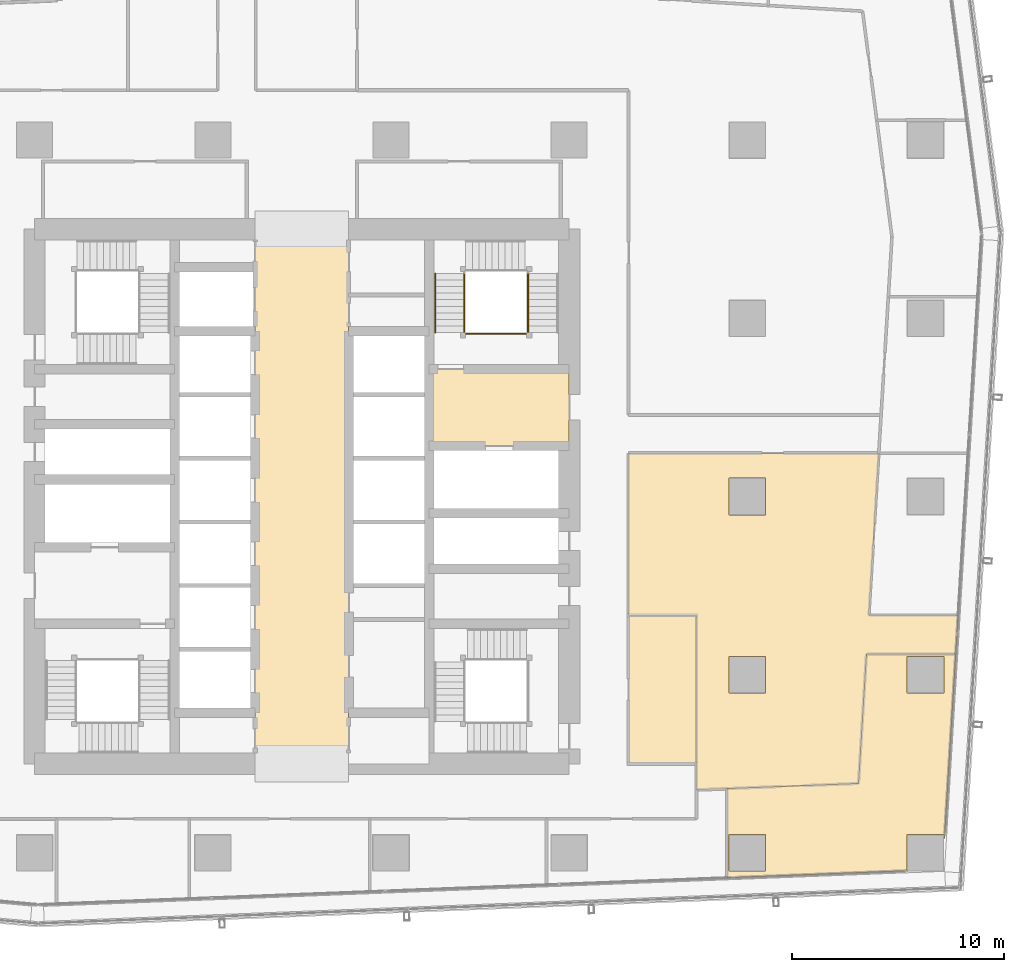
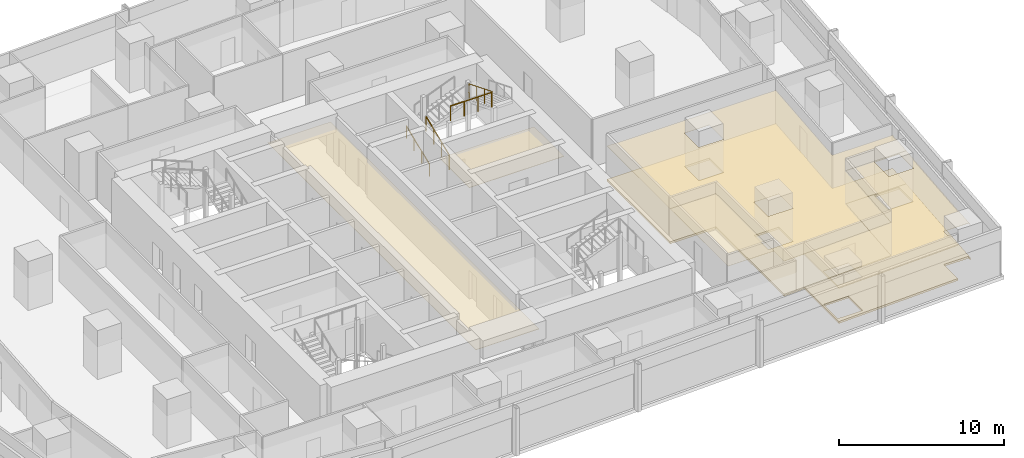
# One storey, part 38 of 40: 7 coverings, 4 railings.
"""IFC4 building model written with IfcOpenShell, lengths in metres."""

from ifc_helpers import new_model, si_unit, direction, frame, origin, origin_2d, place, context, subcontext, project, spatial, polyline, circle, outline, extrude, material, layer, layer_set, type_object, element, save


model = new_model("IFC4")

# Units and contexts
model_context = context("Model", 3, precision=1e-05, world=origin(), true_north=direction((0.0, 1.0)))
body_context = subcontext(model_context, "Body", "Model", "MODEL_VIEW")
ifc_project = project(units=[si_unit("LENGTHUNIT", "METRE"), si_unit("AREAUNIT", "SQUARE_METRE"), si_unit("VOLUMEUNIT", "CUBIC_METRE"), si_unit("PLANEANGLEUNIT", "RADIAN"), si_unit("MASSUNIT", "GRAM", prefix="KILO")], contexts=[model_context])

# Site, building, storey
site_placement = place(None, origin())
site = spatial("IfcSite", under=ifc_project, at=site_placement, CompositionType="ELEMENT")
building_placement = place(site_placement, origin())
building = spatial("IfcBuilding", under=site, at=building_placement, Name="Rekha Terrace Tower", CompositionType="ELEMENT")
storey_placement = place(building_placement, frame((0.0, 0.0, 121.550048828125)))
storey = spatial("IfcBuildingStorey", under=building, at=storey_placement, Name="L30", CompositionType="ELEMENT", Elevation=121.550048828125)

# Coverings
ifc_material_1 = material(Name="Mineral fibre tile in exposed grid", Category="finish")
ifc_layer_1 = layer(ifc_material_1, 0.02001953125)
ifc_layer_set_1 = layer_set([ifc_layer_1], Name="Mineral fibre tile in exposed grid")
covering_type_1 = type_object("IfcCoveringType", Name="CL1 600x1200 office grid ceiling", PredefinedType="CEILING", material=ifc_layer_set_1)
covering_1_placement = place(storey_placement, frame((0.0, 0.0, 2.579833984375)))
element("IfcCovering", 1, at=covering_1_placement, inside=storey, type_object=covering_type_1, Name="Ceiling L30-O1b", PredefinedType="CEILING", context=body_context, shape_type="SweptSolid", body=[
    extrude(outline(polyline([(64.9951171875, 35.636962890625), (53.199951171875, 35.636962890625), (53.199951171875, 28.0009765625), (56.39990234375, 28.0009765625), (56.39990234375, 19.77392578125), (57.85205078125, 19.8310546875), (64.041015625, 20.071044921875), (64.4150390625, 26.166015625), (68.623046875, 26.166015625), (68.735107421875, 28.0), (64.527099609375, 28.0), (64.9951171875, 35.636962890625)]), holes=[polyline([(59.6650390625, 26.06494140625), (59.6650390625, 24.3349609375), (57.93505859375, 24.3349609375), (57.93505859375, 26.06494140625), (59.6650390625, 26.06494140625)]), polyline([(59.6650390625, 32.735107421875), (57.93505859375, 32.735107421875), (57.93505859375, 34.465087890625), (59.6650390625, 34.465087890625), (59.6650390625, 32.735107421875)])]), origin(), (0.0, 0.0, 1.0), 0.02001953125),
])
covering_2_placement = place(storey_placement, frame((0.0, 0.0, 2.579833984375)))
element("IfcCovering", 2, at=covering_2_placement, inside=storey, type_object=covering_type_1, Name="Ceiling L30-18", PredefinedType="CEILING", context=body_context, shape_type="SweptSolid", body=[
    extrude(outline(polyline([(68.090087890625, 17.47998046875), (68.623046875, 26.166015625), (64.4150390625, 26.166015625), (64.041015625, 20.071044921875), (57.8369140625, 19.830078125), (57.8369140625, 15.6259765625), (66.3349609375, 15.95703125), (66.3349609375, 17.6650390625), (68.06494140625, 17.6650390625), (68.06494140625, 17.48095703125), (68.090087890625, 17.47998046875)]), holes=[polyline([(68.06494140625, 24.3349609375), (66.3349609375, 24.3349609375), (66.3349609375, 26.06494140625), (68.06494140625, 26.06494140625), (68.06494140625, 24.3349609375)]), polyline([(59.6650390625, 15.93505859375), (57.93505859375, 15.93505859375), (57.93505859375, 17.6650390625), (59.6650390625, 17.6650390625), (59.6650390625, 15.93505859375)])]), origin(), (0.0, 0.0, 1.0), 0.02001953125),
])
ifc_material_2 = material(Name="Fibre cement board", Category="finish")
ifc_layer_2 = layer(ifc_material_2, 0.014892578125)
ifc_layer_set_2 = layer_set([ifc_layer_2], Name="Fibre cement board")
covering_type_2 = type_object("IfcCoveringType", Name="CL2 moisture-resistant board ceiling", PredefinedType="CEILING", material=ifc_layer_set_2)
covering_3_placement = place(storey_placement, frame((0.0, 0.0, 2.5849609375)))
element("IfcCovering", 3, at=covering_3_placement, inside=storey, type_object=covering_type_2, Name="Ceiling L30-WCM2", PredefinedType="CEILING", context=body_context, shape_type="SweptSolid", body=[
    extrude(outline(polyline([(56.39990234375, 28.0), (53.199951171875, 28.0), (53.199951171875, 21.0), (56.39990234375, 21.0), (56.39990234375, 28.0)])), origin(), (0.0, 0.0, 1.0), 0.014892578125),
])
ifc_material_3 = material(Name="Powder-coated aluminium pan", Category="aluminium")
ifc_layer_3 = layer(ifc_material_3, 0.030029296875)
ifc_layer_set_3 = layer_set([ifc_layer_3], Name="Powder-coated aluminium pan")
covering_type_3 = type_object("IfcCoveringType", Name="CL3 300x1200 metal pan ceiling", PredefinedType="CEILING", material=ifc_layer_set_3)
covering_4_placement = place(storey_placement, frame((0.0, 0.0, 2.570068359375)))
element("IfcCovering", 4, at=covering_4_placement, inside=storey, type_object=covering_type_3, Name="Ceiling L30-LOBBY", PredefinedType="CEILING", context=body_context, shape_type="SweptSolid", body=[
    extrude(outline(polyline([(40.0, 46.199951171875), (35.60009765625, 46.199951171875), (35.60009765625, 21.0), (40.0, 21.0), (40.0, 46.199951171875)])), origin(), (0.0, 0.0, 1.0), 0.02978515625),
])
covering_5_placement = place(storey_placement, frame((0.0, 0.0, 2.570068359375)))
element("IfcCovering", 5, at=covering_5_placement, inside=storey, type_object=covering_type_3, Name="Ceiling L30-FLB2", PredefinedType="CEILING", context=body_context, shape_type="SweptSolid", body=[
    extrude(outline(polyline([(50.39990234375, 39.60009765625), (43.800048828125, 39.60009765625), (43.800048828125, 36.0), (50.39990234375, 36.0), (50.39990234375, 39.60009765625)])), origin(), (0.0, 0.0, 1.0), 0.02978515625),
])

# Railings
ifc_material_4 = material(Name="Stainless steel balustrade", Category="steel")
railing_type_1 = type_object("IfcRailingType", Name="GR1 1100 stair guard", PredefinedType="GUARDRAIL", material=ifc_material_4)
railing_1_placement = place(storey_placement, frame((45.465087890625, 41.324951171875, 0.125)))
element("IfcRailing", 6, at=railing_1_placement, inside=storey, type_object=railing_type_1, Name="Guard ST2 L30 flight 1", PredefinedType="GUARDRAIL", context=body_context, shape_type="SweptSolid", body=[
    extrude(circle(Radius=0.02392578125, at=origin_2d()), frame((0.0, 0.0, 1.076171875), z_axis=(0.0, 0.927443287984, 0.373963831907), x_axis=(-1.0, 0.0, 0.0)), (0.0, 0.0, 1.0), 3.00830078125),
    extrude(circle(Radius=0.02099609375, at=origin_2d()), origin(), (0.0, 0.0, 1.0), 1.052001953125),
    extrude(circle(Radius=0.02099609375, at=origin_2d()), frame((0.0, 0.929931640625, 0.375)), (0.0, 0.0, 1.0), 1.052001953125),
    extrude(circle(Radius=0.02099609375, at=origin_2d()), frame((0.0, 1.860107421875, 0.75)), (0.0, 0.0, 1.0), 1.052001953125),
    extrude(circle(Radius=0.02099609375, at=origin_2d()), frame((0.0, 2.7900390625, 1.125)), (0.0, 0.0, 1.0), 1.052001953125),
])
railing_2_placement = place(storey_placement, frame((48.4599609375, 44.114990234375, 2.625)))
element("IfcRailing", 7, at=railing_2_placement, inside=storey, type_object=railing_type_1, Name="Guard ST2 L30 flight 3", PredefinedType="GUARDRAIL", context=body_context, shape_type="SweptSolid", body=[
    extrude(circle(Radius=0.02392578125, at=origin_2d()), frame((0.0, 0.0, 1.076171875), z_axis=(0.0, -0.927443287984, 0.373963831907), x_axis=(1.0, 0.0, 0.0)), (0.0, 0.0, 1.0), 3.00830078125),
    extrude(circle(Radius=0.02099609375, at=origin_2d()), origin(), (0.0, 0.0, 1.0), 1.052001953125),
    extrude(circle(Radius=0.02099609375, at=origin_2d()), frame((0.0, -0.929931640625, 0.375)), (0.0, 0.0, 1.0), 1.052001953125),
    extrude(circle(Radius=0.02099609375, at=origin_2d()), frame((0.0, -1.860107421875, 0.75)), (0.0, 0.0, 1.0), 1.052001953125),
    extrude(circle(Radius=0.02099609375, at=origin_2d()), frame((0.0, -2.7900390625, 1.125)), (0.0, 0.0, 1.0), 1.052001953125),
])
railing_3_placement = place(storey_placement, frame((45.52490234375, 41.264892578125, 3.75)))
element("IfcRailing", 8, at=railing_3_placement, inside=storey, type_object=railing_type_1, Name="Guard ST2 L30 landing 4", PredefinedType="GUARDRAIL", context=body_context, shape_type="SweptSolid", body=[
    extrude(circle(Radius=0.02392578125, at=origin_2d()), frame((0.0, 0.0, 1.076171875), z_axis=(1.0, 0.0, 0.0), x_axis=(0.0, 1.0, 0.0)), (0.0, 0.0, 1.0), 2.875),
    extrude(circle(Radius=0.02099609375, at=origin_2d()), origin(), (0.0, 0.0, 1.0), 1.052001953125),
    extrude(circle(Radius=0.02099609375, at=origin_2d()), frame((0.958251953125, 0.0, 0.0)), (0.0, 0.0, 1.0), 1.052001953125),
    extrude(circle(Radius=0.02099609375, at=origin_2d()), frame((1.916748046875, 0.0, 0.0)), (0.0, 0.0, 1.0), 1.052001953125),
    extrude(circle(Radius=0.02099609375, at=origin_2d()), frame((2.875, 0.0, 0.0)), (0.0, 0.0, 1.0), 1.052001953125),
])
ifc_material_5 = material(Name="Stainless steel tube", Category="steel")
railing_type_2 = type_object("IfcRailingType", Name="HR1 900 stair handrail", PredefinedType="HANDRAIL", material=ifc_material_5)
railing_4_placement = place(storey_placement, frame((44.0849609375, 41.324951171875, 0.125)))
element("IfcRailing", 9, at=railing_4_placement, inside=storey, type_object=railing_type_2, Name="Handrail ST2 L30 flight 1", PredefinedType="HANDRAIL", context=body_context, shape_type="SweptSolid", body=[
    extrude(circle(Radius=0.02392578125, at=origin_2d()), frame((0.0, 0.0, 0.8759765625), z_axis=(0.0, 0.927443287984, 0.373963831907), x_axis=(-1.0, 0.0, 0.0)), (0.0, 0.0, 1.0), 3.00830078125),
    extrude(circle(Radius=0.02099609375, at=origin_2d()), origin(), (0.0, 0.0, 1.0), 0.851806640625),
    extrude(circle(Radius=0.02099609375, at=origin_2d()), frame((0.0, 0.929931640625, 0.375)), (0.0, 0.0, 1.0), 0.851806640625),
    extrude(circle(Radius=0.02099609375, at=origin_2d()), frame((0.0, 1.860107421875, 0.75)), (0.0, 0.0, 1.0), 0.851806640625),
    extrude(circle(Radius=0.02099609375, at=origin_2d()), frame((0.0, 2.7900390625, 1.125)), (0.0, 0.0, 1.0), 0.851806640625),
])

# Coverings
ifc_material_6 = material(Name="Calcium sulphate panels on steel pedestals", Category="steel")
ifc_layer_4 = layer(ifc_material_6, 0.14990234375)
ifc_layer_set_4 = layer_set([ifc_layer_4], Name="Calcium sulphate panels on steel pedestals")
covering_type_4 = type_object("IfcCoveringType", Name="RF1 150 raised access floor", PredefinedType="FLOORING", material=ifc_layer_set_4)
covering_6_placement = place(storey_placement, origin())
element("IfcCovering", 10, at=covering_6_placement, inside=storey, type_object=covering_type_4, Name="Raised floor L30-O1b", PredefinedType="FLOORING", context=body_context, shape_type="SweptSolid", body=[
    extrude(outline(polyline([(64.9951171875, 35.636962890625), (53.199951171875, 35.636962890625), (53.199951171875, 28.0009765625), (56.39990234375, 28.0009765625), (56.39990234375, 19.77392578125), (57.85205078125, 19.8310546875), (64.041015625, 20.071044921875), (64.4150390625, 26.166015625), (68.623046875, 26.166015625), (68.735107421875, 28.0), (64.527099609375, 28.0), (64.9951171875, 35.636962890625)]), holes=[polyline([(59.6650390625, 26.06494140625), (59.6650390625, 24.3349609375), (57.93505859375, 24.3349609375), (57.93505859375, 26.06494140625), (59.6650390625, 26.06494140625)]), polyline([(59.6650390625, 32.735107421875), (57.93505859375, 32.735107421875), (57.93505859375, 34.465087890625), (59.6650390625, 34.465087890625), (59.6650390625, 32.735107421875)])]), origin(), (0.0, 0.0, 1.0), 0.14990234375),
])
covering_7_placement = place(storey_placement, origin())
element("IfcCovering", 11, at=covering_7_placement, inside=storey, type_object=covering_type_4, Name="Raised floor L30-18", PredefinedType="FLOORING", context=body_context, shape_type="SweptSolid", body=[
    extrude(outline(polyline([(68.090087890625, 17.47998046875), (68.623046875, 26.166015625), (64.4150390625, 26.166015625), (64.041015625, 20.071044921875), (57.8369140625, 19.830078125), (57.8369140625, 15.6259765625), (66.3349609375, 15.95703125), (66.3349609375, 17.6650390625), (68.06494140625, 17.6650390625), (68.06494140625, 17.48095703125), (68.090087890625, 17.47998046875)]), holes=[polyline([(68.06494140625, 24.3349609375), (66.3349609375, 24.3349609375), (66.3349609375, 26.06494140625), (68.06494140625, 26.06494140625), (68.06494140625, 24.3349609375)]), polyline([(59.6650390625, 15.93505859375), (57.93505859375, 15.93505859375), (57.93505859375, 17.6650390625), (59.6650390625, 17.6650390625), (59.6650390625, 15.93505859375)])]), origin(), (0.0, 0.0, 1.0), 0.14990234375),
])

save(model, "model.ifc")
